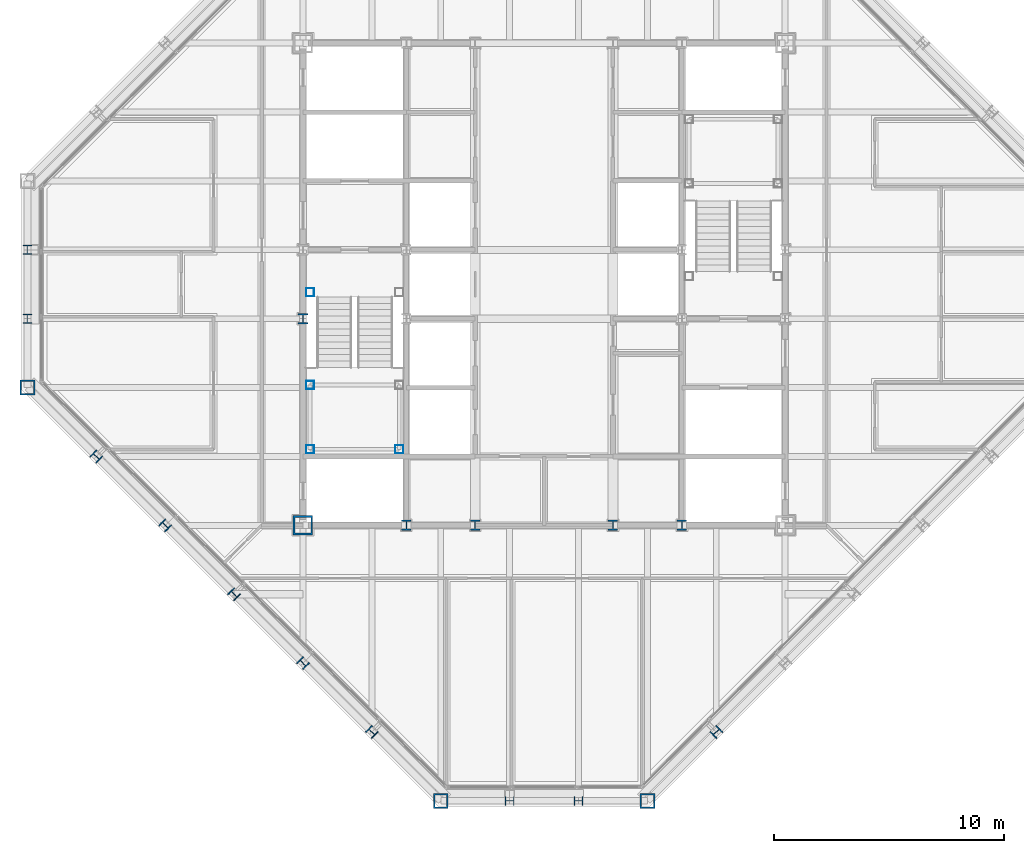
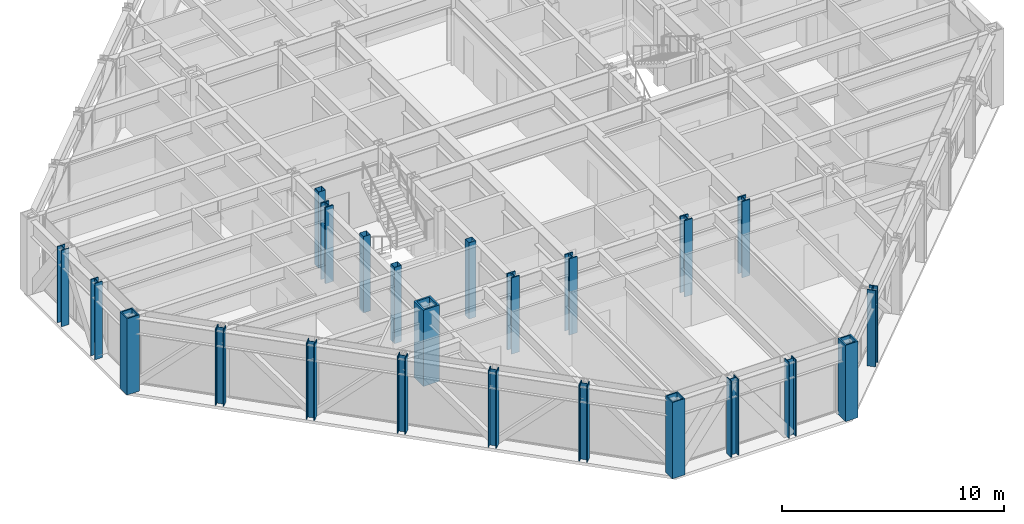
# One storey, part 1 of 15: 23 columns.
"""IFC4 building model written with IfcOpenShell, lengths in metres."""

import ifcopenshell
import ifcopenshell.guid

model = None  # the IFC model being written
_history = None  # IfcOwnerHistory: only IFC2X3 demands one
_inside = {}  # id of a spatial element -> (the spatial element, [elements in it])
_under = {}  # id of a project, library or spatial element -> (it, [spatial elements below it])
_declared = {}  # id of a project -> (the project, [libraries it declares])
_typed = {}  # id of a type object -> (the type object, [elements of that type])
_made_of = {}  # id of a material, layer set ... -> (it, [elements and type objects made of it])


def new_model(schema):
    """Start an empty IFC model of exactly this schema.

    Asked for "IFC4X3", IfcOpenShell would pick the latest addendum, in which some entities
    have other attributes; the version numbers below select the first issue.
    IFC2X3 requires an IfcOwnerHistory on every rooted entity: one is made here for all.
    """
    global model, _history
    if schema == "IFC4X3":
        model = ifcopenshell.file(schema_version=(4, 3, 0, 0))
    else:
        model = ifcopenshell.file(schema=schema)
    _inside.clear()
    _under.clear()
    _declared.clear()
    _typed.clear()
    _made_of.clear()
    _history = None
    if model.schema == "IFC2X3":
        org = make("IfcOrganization", Name="unknown")
        user = make(
            "IfcPersonAndOrganization",
            ThePerson=make("IfcPerson", FamilyName="unknown"),
            TheOrganization=org,
        )
        app = make(
            "IfcApplication",
            ApplicationDeveloper=org,
            Version="unknown",
            ApplicationFullName="unknown",
            ApplicationIdentifier="unknown",
        )
        _history = make(
            "IfcOwnerHistory",
            OwningUser=user,
            OwningApplication=app,
            ChangeAction="ADDED",
            CreationDate=0,
        )
    return model


def make(cls, **values):
    """One entity of the class cls with the attributes given. An attribute that is None is left unset."""
    return model.create_entity(
        cls, **{name: value for name, value in values.items() if value is not None}
    )


def rooted(cls, **values):
    """An entity with a GlobalId (a new one), such as an element, a storey or a relation."""
    return make(cls, GlobalId=ifcopenshell.guid.new(), OwnerHistory=_history, **values)


def si_unit(unit_type, name, prefix=None):
    """IfcSIUnit, for example si_unit("LENGTHUNIT", "METRE", prefix="MILLI")."""
    return make("IfcSIUnit", UnitType=unit_type, Prefix=prefix, Name=name)


def assignment(units):
    """IfcUnitAssignment: the units of a project."""
    return None if units is None else make("IfcUnitAssignment", Units=units)


def point(xyz):
    """IfcCartesianPoint."""
    return None if xyz is None else make("IfcCartesianPoint", Coordinates=xyz)


def direction(xyz):
    """IfcDirection."""
    return None if xyz is None else make("IfcDirection", DirectionRatios=xyz)


def frame(location, z_axis=None, x_axis=None):
    """IfcAxis2Placement3D, a coordinate frame: its origin and axes. An axis left out is left unset."""
    return make(
        "IfcAxis2Placement3D",
        Location=point(location),
        Axis=direction(z_axis),
        RefDirection=direction(x_axis),
    )


def frame_2d(location, x_axis=None):
    """IfcAxis2Placement2D, a coordinate frame in the plane: its origin and x axis."""
    return make(
        "IfcAxis2Placement2D", Location=point(location), RefDirection=direction(x_axis)
    )


def origin():
    """The frame at (0, 0, 0) with its axes left unset."""
    return frame((0.0, 0.0, 0.0))


def origin_2d():
    """The frame at (0, 0) in the plane with its x axis left unset."""
    return frame_2d((0.0, 0.0))


def place(relative_to, where):
    """IfcLocalPlacement: puts the frame where relative to a parent placement (None: the world)."""
    return make(
        "IfcLocalPlacement", PlacementRelTo=relative_to, RelativePlacement=where
    )


def context(
    kind, dimensions, precision=None, world=None, true_north=None, identifier=None
):
    """IfcGeometricRepresentationContext, for example the 3D "Model" context."""
    return make(
        "IfcGeometricRepresentationContext",
        ContextIdentifier=identifier,
        ContextType=kind,
        CoordinateSpaceDimension=dimensions,
        Precision=precision,
        WorldCoordinateSystem=world,
        TrueNorth=true_north,
    )


def subcontext(parent, identifier, kind, view, scale=None):
    """IfcGeometricRepresentationSubContext, for example "Body" below "Model"."""
    return make(
        "IfcGeometricRepresentationSubContext",
        ContextIdentifier=identifier,
        ContextType=kind,
        ParentContext=parent,
        TargetScale=scale,
        TargetView=view,
    )


def project(units=None, contexts=None):
    """IfcProject with its units and contexts."""
    return rooted(
        "IfcProject",
        Name="project",
        RepresentationContexts=contexts,
        UnitsInContext=assignment(units),
    )


def spatial(cls, under=None, at=None, **own):
    """A site, building, storey or space (cls), placed at a placement, below another one or the project."""
    s = rooted(cls, ObjectPlacement=at, **own)
    if under is not None:
        _under.setdefault(under.id(), (under, []))[1].append(s)
    return s


def profile(cls, at=None, kind="AREA", **sizes):
    """A parametric profile (cls). Its sizes go by their IFC names, for example OverallWidth=200.0."""
    return make(cls, ProfileType=kind, Position=at, **sizes)


def hollow_rectangle(**sizes):
    """IfcRectangleHollowProfileDef."""
    return profile("IfcRectangleHollowProfileDef", **sizes)


def i_section(**sizes):
    """IfcIShapeProfileDef."""
    return profile("IfcIShapeProfileDef", **sizes)


def extrude(swept, where, along, depth):
    """IfcExtrudedAreaSolid: the profile swept, set in the frame where, extruded along a direction by depth."""
    return make(
        "IfcExtrudedAreaSolid",
        SweptArea=swept,
        Position=where,
        ExtrudedDirection=direction(along),
        Depth=depth,
    )


def shape(context_of_items, identifier, shape_type, items):
    """IfcShapeRepresentation: the items that make up one representation, for example the "Body"."""
    return make(
        "IfcShapeRepresentation",
        ContextOfItems=context_of_items,
        RepresentationIdentifier=identifier,
        RepresentationType=shape_type,
        Items=items,
    )


def material(Name=None, Category=None):
    """IfcMaterial."""
    return make("IfcMaterial", Name=Name, Category=Category)


def material_profile(
    of_material, cross_section, Name=None, Category=None, Priority=None
):
    """IfcMaterialProfile: a cross section and its material."""
    return make(
        "IfcMaterialProfile",
        Name=Name,
        Material=of_material,
        Profile=cross_section,
        Priority=Priority,
        Category=Category,
    )


def profile_set(profiles, Name=None, composite=None):
    """IfcMaterialProfileSet."""
    return make(
        "IfcMaterialProfileSet",
        Name=Name,
        MaterialProfiles=profiles,
        CompositeProfile=composite,
    )


def made_of(thing, what):
    """Note that an element or type object is made of a material, layer set ...; save() writes the relation."""
    if what is not None:
        _made_of.setdefault(what.id(), (what, []))[1].append(thing)
    return thing


def type_object(cls, material=None, **own):
    """A type object (cls), such as IfcWallType, which elements share."""
    return made_of(rooted(cls, **own), material)


def element(
    cls,
    number,
    at=None,
    inside=None,
    cuts=None,
    type_object=None,
    material=None,
    context=None,
    identifier="Body",
    shape_type=None,
    held_by="IfcProductDefinitionShape",
    body=None,
    shapes=None,
    **own,
):
    """One element of the class cls, such as IfcWall. Its Tag is "e" and its number.

    at: its placement. inside: the storey or other place that contains it. cuts: it is an
    opening in that element (IfcRelVoidsElement). A single representation is given by context,
    identifier, shape_type and body (its items); several are given by shapes. held_by: the class
    of the entity that holds the representations. save() writes the other relations.
    """
    e = rooted(cls, Tag="e%d" % number, ObjectPlacement=at, **own)
    if body is not None:
        shapes = [shape(context, identifier, shape_type, body)]
    if shapes is not None:
        e.Representation = make(held_by, Representations=shapes)
    if inside is not None:
        _inside.setdefault(inside.id(), (inside, []))[1].append(e)
    if cuts is not None:
        rooted(
            "IfcRelVoidsElement", RelatingBuildingElement=cuts, RelatedOpeningElement=e
        )
    if type_object is not None:
        _typed.setdefault(type_object.id(), (type_object, []))[1].append(e)
    return made_of(e, material)


def aggregate(whole, parts):
    """IfcRelAggregates: a whole, such as a stair, and the parts it consists of."""
    return rooted("IfcRelAggregates", RelatingObject=whole, RelatedObjects=parts)


def save(model, path):
    """Write the relations noted so far, then the file.

    IfcRelAggregates (storeys below a building ...), IfcRelContainedInSpatialStructure (elements
    in a storey), IfcRelDefinesByType, IfcRelAssociatesMaterial and IfcRelDeclares: one each for
    every whole, place, type object, material and project.
    """
    for whole, parts in _under.values():
        aggregate(whole, parts)
    for where, things in _inside.values():
        rooted(
            "IfcRelContainedInSpatialStructure",
            RelatedElements=things,
            RelatingStructure=where,
        )
    for kind, things in _typed.values():
        rooted("IfcRelDefinesByType", RelatedObjects=things, RelatingType=kind)
    for what, things in _made_of.values():
        rooted("IfcRelAssociatesMaterial", RelatedObjects=things, RelatingMaterial=what)
    for by, libraries in _declared.values():
        rooted("IfcRelDeclares", RelatingContext=by, RelatedDefinitions=libraries)
    model.write(path)


model = new_model("IFC4")

# Units and contexts
model_context = context("Model", 3, precision=1e-05, world=origin(), true_north=direction((0.0, 1.0)))
body_context = subcontext(model_context, "Body", "Model", "MODEL_VIEW")
ifc_project = project(units=[si_unit("LENGTHUNIT", "METRE"), si_unit("AREAUNIT", "SQUARE_METRE"), si_unit("VOLUMEUNIT", "CUBIC_METRE"), si_unit("PLANEANGLEUNIT", "RADIAN"), si_unit("MASSUNIT", "GRAM", prefix="KILO")], contexts=[model_context])

# Site, building, storey
site_placement = place(None, origin())
site = spatial("IfcSite", under=ifc_project, at=site_placement, CompositionType="ELEMENT")
building_placement = place(site_placement, origin())
building = spatial("IfcBuilding", under=site, at=building_placement, Name="Chuquiago Exchange Tower", CompositionType="ELEMENT")
storey_placement = place(building_placement, frame((0.0, 0.0, 291.60009765625)))
storey = spatial("IfcBuildingStorey", under=building, at=storey_placement, Name="L65", CompositionType="ELEMENT", Elevation=291.60009765625)

# Columns
ifc_material_1 = material(Name="Steel ASTM A992", Category="steel")
ifc_material_profile_1 = material_profile(ifc_material_1, i_section(OverallWidth=0.4013671875, OverallDepth=0.398681640625, WebThickness=0.02490234375, FlangeThickness=0.03955078125, at=origin_2d()), Name="W14X211")
ifc_profile_set_1 = profile_set([ifc_material_profile_1], Name="Steel ASTM A992")
column_type_1 = type_object("IfcColumnType", Name="C9 W14X211", PredefinedType="COLUMN", material=ifc_profile_set_1)
for number, where, z_axis, x_axis, name in (
    (1, (21.0, 0.0, 0.0), (0.0, 0.0, 1.0), (0.0, -1.0, 0.0), "COL-L65-21_0"),
    (2, (24.0, 0.0, 0.0), (0.0, 0.0, 1.0), (0.0, -1.0, 0.0), "COL-L65-24_0"),
    (3, (0.0, 24.0, 0.0), (0.0, 0.0, 1.0), (-1.0, 0.0, 0.0), "COL-L65-0_24"),
    (4, (0.0, 21.0, 0.0), (0.0, 0.0, 1.0), (-1.0, 0.0, 0.0), "COL-L65-0_21"),
):
    element("IfcColumn", number, at=place(storey_placement, frame(where, z_axis=z_axis, x_axis=x_axis)), inside=storey, type_object=column_type_1, Name=name, PredefinedType="COLUMN", context=body_context, shape_type="SweptSolid", body=[
        extrude(i_section(OverallWidth=0.4013671875, OverallDepth=0.398681640625, WebThickness=0.02490234375, FlangeThickness=0.03955078125, at=origin_2d()), origin(), (0.0, 0.0, 1.0), 4.199951171875),
    ])
ifc_material_2 = material(Name="Steel ASTM A572 Grade 50", Category="steel")
ifc_material_profile_2 = material_profile(ifc_material_2, hollow_rectangle(XDim=0.85009765625, YDim=0.85009765625, WallThickness=0.0849609375, at=origin_2d()), Name="BOX850X850X85")
ifc_profile_set_2 = profile_set([ifc_material_profile_2], Name="Steel ASTM A572 Grade 50")
column_type_2 = type_object("IfcColumnType", Name="CC6 BOX850X850X85", PredefinedType="COLUMN", material=ifc_profile_set_2)
column_placement = place(storey_placement, frame((12.0, 12.0, 0.0), z_axis=(0.0, 0.0, 1.0), x_axis=(1.0, 0.0, 0.0)))
element("IfcColumn", 5, at=column_placement, inside=storey, type_object=column_type_2, Name="CCOL-L65-12_12", PredefinedType="COLUMN", context=body_context, shape_type="SweptSolid", body=[
    extrude(hollow_rectangle(XDim=0.85009765625, YDim=0.85009765625, WallThickness=0.0849609375, at=origin_2d()), origin(), (0.0, 0.0, 1.0), 4.199951171875),
])
ifc_material_3 = material(Name="Steel ASTM A992", Category="steel")
ifc_material_profile_3 = material_profile(ifc_material_3, i_section(OverallWidth=0.41650390625, OverallDepth=0.444580078125, WebThickness=0.0390625, FlangeThickness=0.062744140625, at=origin_2d()), Name="W14X342")
ifc_profile_set_3 = profile_set([ifc_material_profile_3], Name="Steel ASTM A992")
column_type_3 = type_object("IfcColumnType", Name="CC9 W14X342", PredefinedType="COLUMN", material=ifc_profile_set_3)
for number, where, z_axis, x_axis, name in (
    (6, (16.5, 12.0, 0.0), (0.0, 0.0, 1.0), (1.0, 0.0, 0.0), "CCOL-L65-16.5_12"),
    (7, (19.5, 12.0, 0.0), (0.0, 0.0, 1.0), (1.0, 0.0, 0.0), "CCOL-L65-19.5_12"),
    (8, (25.5, 12.0, 0.0), (0.0, 0.0, 1.0), (1.0, 0.0, 0.0), "CCOL-L65-25.5_12"),
    (9, (28.5, 12.0, 0.0), (0.0, 0.0, 1.0), (1.0, 0.0, 0.0), "CCOL-L65-28.5_12"),
    (10, (12.0, 21.0, 0.0), (0.0, 0.0, 1.0), (1.0, 0.0, 0.0), "CCOL-L65-12_21"),
):
    element("IfcColumn", number, at=place(storey_placement, frame(where, z_axis=z_axis, x_axis=x_axis)), inside=storey, type_object=column_type_3, Name=name, PredefinedType="COLUMN", context=body_context, shape_type="SweptSolid", body=[
        extrude(i_section(OverallWidth=0.41650390625, OverallDepth=0.444580078125, WebThickness=0.0390625, FlangeThickness=0.062744140625, at=origin_2d()), origin(), (0.0, 0.0, 1.0), 4.199951171875),
    ])
ifc_material_4 = material(Name="Steel ASTM A992", Category="steel")
ifc_material_profile_4 = material_profile(ifc_material_4, i_section(OverallWidth=0.40380859375, OverallDepth=0.406494140625, WebThickness=0.027099609375, FlangeThickness=0.043701171875, at=origin_2d()), Name="W14X233")
ifc_profile_set_4 = profile_set([ifc_material_profile_4], Name="Steel ASTM A992")
column_type_4 = type_object("IfcColumnType", Name="CK8 W14X233", PredefinedType="COLUMN", material=ifc_profile_set_4)
for number, where, z_axis, x_axis, name in (
    (11, (30.0, 3.0, 0.0), (0.0, 0.0, 1.0), (0.707106781187, -0.707106781187, 0.0), "COL-L65-30_3"),
    (12, (3.0, 15.0, 0.0), (0.0, 0.0, 1.0), (-0.707106781187, -0.707106781187, 0.0), "COL-L65-3_15"),
    (13, (6.0, 12.0, 0.0), (0.0, 0.0, 1.0), (-0.707106781187, -0.707106781187, 0.0), "COL-L65-6_12"),
    (14, (9.0, 9.0, 0.0), (0.0, 0.0, 1.0), (-0.707106781187, -0.707106781187, 0.0), "COL-L65-9_9"),
    (15, (12.0, 6.0, 0.0), (0.0, 0.0, 1.0), (-0.707106781187, -0.707106781187, 0.0), "COL-L65-12_6"),
    (16, (15.0, 3.0, 0.0), (0.0, 0.0, 1.0), (-0.707106781187, -0.707106781187, 0.0), "COL-L65-15_3"),
):
    element("IfcColumn", number, at=place(storey_placement, frame(where, z_axis=z_axis, x_axis=x_axis)), inside=storey, type_object=column_type_4, Name=name, PredefinedType="COLUMN", context=body_context, shape_type="SweptSolid", body=[
        extrude(i_section(OverallWidth=0.40380859375, OverallDepth=0.406494140625, WebThickness=0.027099609375, FlangeThickness=0.043701171875, at=origin_2d()), origin(), (0.0, 0.0, 1.0), 4.199951171875),
    ])
ifc_material_5 = material(Name="Steel ASTM A572 Grade 50", Category="steel")
ifc_material_profile_5 = material_profile(ifc_material_5, hollow_rectangle(XDim=0.64990234375, YDim=0.64990234375, WallThickness=0.06494140625, at=origin_2d()), Name="BOX650X650X65")
ifc_profile_set_5 = profile_set([ifc_material_profile_5], Name="Steel ASTM A572 Grade 50")
column_type_5 = type_object("IfcColumnType", Name="CN2 BOX650X650X65", PredefinedType="COLUMN", material=ifc_profile_set_5)
for number, where, z_axis, x_axis, name in (
    (17, (18.0, 0.0, 0.0), (0.0, 0.0, 1.0), (0.0, -1.0, 0.0), "COL-L65-18_0"),
    (18, (27.0, 0.0, 0.0), (0.0, 0.0, 1.0), (0.0, -1.0, 0.0), "COL-L65-27_0"),
    (19, (0.0, 18.0, 0.0), (0.0, 0.0, 1.0), (-1.0, 0.0, 0.0), "COL-L65-0_18"),
):
    element("IfcColumn", number, at=place(storey_placement, frame(where, z_axis=z_axis, x_axis=x_axis)), inside=storey, type_object=column_type_5, Name=name, PredefinedType="COLUMN", context=body_context, shape_type="SweptSolid", body=[
        extrude(hollow_rectangle(XDim=0.64990234375, YDim=0.64990234375, WallThickness=0.06494140625, at=origin_2d()), origin(), (0.0, 0.0, 1.0), 4.199951171875),
    ])
ifc_material_6 = material(Name="Steel ASTM A500 Grade C", Category="steel")
ifc_material_profile_6 = material_profile(ifc_material_6, hollow_rectangle(XDim=0.355712890625, YDim=0.355712890625, WallThickness=0.0087890625, at=origin_2d()), Name="HSS14X14X3/8")
ifc_profile_set_6 = profile_set([ifc_material_profile_6], Name="Steel ASTM A500 Grade C")
column_type_6 = type_object("IfcColumnType", Name="PT1 HSS14X14X3/8", PredefinedType="COLUMN", material=ifc_profile_set_6)
for number, where, z_axis, x_axis, name in (
    (20, (12.31005859375, 15.31005859375, 0.0), (0.0, 0.0, 1.0), (1.0, 0.0, 0.0), "Stair ST1 L65 landing post"),
    (21, (16.18994140625, 15.31005859375, 0.0), (0.0, 0.0, 1.0), (1.0, 0.0, 0.0), "Stair ST1 L65 landing post"),
    (22, (12.31005859375, 18.110107421875, 0.0), (0.0, 0.0, 1.0), (1.0, 0.0, 0.0), "Stair ST1 L65 landing post"),
    (23, (12.31005859375, 22.14990234375, 0.0), (0.0, 0.0, 1.0), (1.0, 0.0, 0.0), "Stair ST1 L65 landing post"),
):
    element("IfcColumn", number, at=place(storey_placement, frame(where, z_axis=z_axis, x_axis=x_axis)), inside=storey, type_object=column_type_6, Name=name, PredefinedType="COLUMN", context=body_context, shape_type="SweptSolid", body=[
        extrude(hollow_rectangle(XDim=0.355712890625, YDim=0.355712890625, WallThickness=0.0087890625, at=origin_2d()), origin(), (0.0, 0.0, 1.0), 4.199951171875),
    ])

save(model, "model.ifc")
